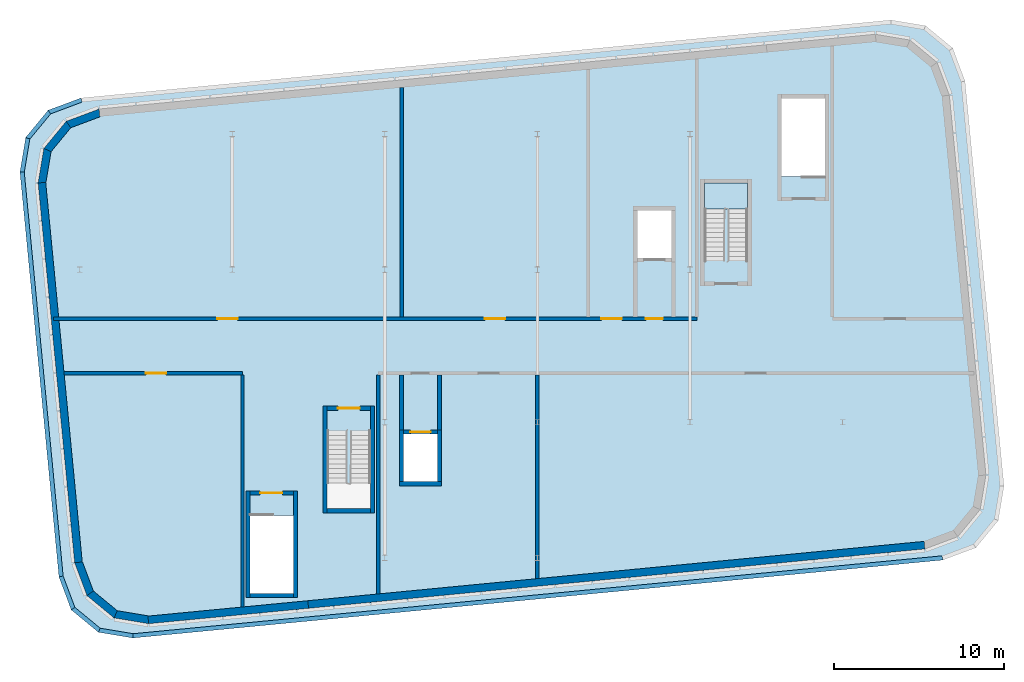
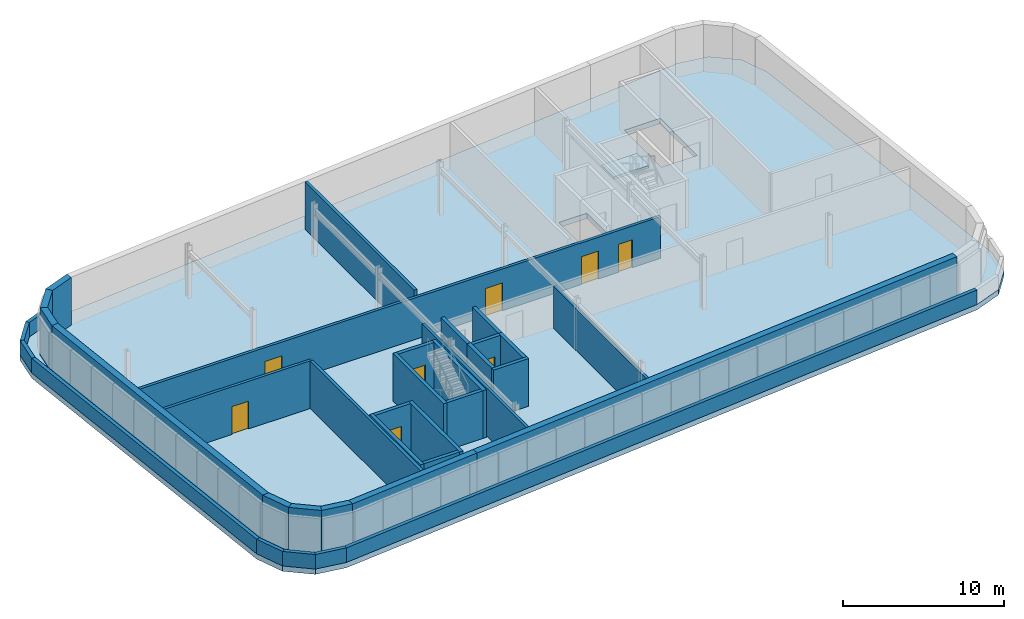
# One storey, part 3 of 6: 37 walls, 8 doors, 2 slabs, 8 openings, 1 element without a shape of its own.
"""IFC4 building model written with IfcOpenShell, lengths in metres."""

from ifc_helpers import new_model, si_unit, direction, frame, frame_2d, origin, place, context, subcontext, project, spatial, polyline, rectangle, outline, extrude, material, layer, layer_set, type_object, element, fill, aggregate, save


model = new_model("IFC4")

# Units and contexts
model_context = context("Model", 3, precision=1e-05, world=origin(), true_north=direction((0.0, 1.0)))
body_context = subcontext(model_context, "Body", "Model", "MODEL_VIEW")
ifc_project = project(units=[si_unit("LENGTHUNIT", "METRE"), si_unit("AREAUNIT", "SQUARE_METRE"), si_unit("VOLUMEUNIT", "CUBIC_METRE"), si_unit("PLANEANGLEUNIT", "RADIAN"), si_unit("MASSUNIT", "GRAM", prefix="KILO")], contexts=[model_context])

# Site, building, storey
site_placement = place(None, origin())
site = spatial("IfcSite", under=ifc_project, at=site_placement, CompositionType="ELEMENT")
building_placement = place(site_placement, origin())
building = spatial("IfcBuilding", under=site, at=building_placement, Name="Kajstack Hotel Tower", CompositionType="ELEMENT")
storey_placement = place(building_placement, frame((0.0, 0.0, 321.800048828125)))
storey = spatial("IfcBuildingStorey", under=building, at=storey_placement, Name="L81", CompositionType="ELEMENT", Elevation=321.800048828125)

# Slab
ifc_material_1 = material(Name="Concrete C40/50", Category="concrete")
ifc_layer_1 = layer(ifc_material_1, 0.39990234375)
ifc_layer_set_1 = layer_set([ifc_layer_1], Name="RC slab 400 C40/50 crown")
slab_type_1 = type_object("IfcSlabType", Name="RC slab 400 C40/50 crown", PredefinedType="FLOOR", material=ifc_layer_set_1)
slab_1_placement = place(storey_placement, frame((0.0, 0.0, -0.400146484375)))
element("IfcSlab", 1, at=slab_1_placement, inside=storey, type_object=slab_type_1, Name="S-slab-L81", PredefinedType="FLOOR", context=body_context, shape_type="SweptSolid", body=[
    extrude(outline(polyline([(-30.179443359375, 12.30322265625), (-28.862548828125, 13.90087890625), (-26.923095703125, 14.6259765625), (20.85595703125, 19.2265625), (22.898193359375, 18.885009765625), (24.495849609375, 17.56787109375), (25.220947265625, 15.62841796875), (27.521240234375, -8.260986328125), (27.179443359375, -10.30322265625), (25.862548828125, -11.90087890625), (23.923095703125, -12.6259765625), (-23.85595703125, -17.2265625), (-25.898193359375, -16.885009765625), (-27.495849609375, -15.56787109375), (-28.220947265625, -13.62841796875), (-30.521240234375, 10.260986328125), (-30.179443359375, 12.30322265625)]), holes=[polyline([(-7.89990234375, -8.0), (-5.89990234375, -8.0), (-5.89990234375, -5.199951171875), (-7.89990234375, -5.199951171875), (-7.89990234375, -8.0)]), polyline([(7.89990234375, 8.0), (5.89990234375, 8.0), (5.89990234375, 5.199951171875), (7.89990234375, 5.199951171875), (7.89990234375, 8.0)]), polyline([(-16.949951171875, -14.60009765625), (-14.39990234375, -14.60009765625), (-14.39990234375, -10.0), (-16.949951171875, -10.0), (-16.949951171875, -14.60009765625)]), polyline([(16.949951171875, 14.60009765625), (14.39990234375, 14.60009765625), (14.39990234375, 10.0), (16.949951171875, 10.0), (16.949951171875, 14.60009765625)])]), origin(), (0.0, 0.0, 1.0), 0.400146484375),
])

# Stair, slab
stair_type = type_object("IfcStairType", Name="Exit stair 1200", PredefinedType="HALF_TURN_STAIR", material=ifc_material_1)
stair_placement = place(storey_placement, origin())
stair = element("IfcStair", 2, at=stair_placement, inside=storey, type_object=stair_type, Name="L81 stair R2", PredefinedType="HALF_TURN_STAIR")
ifc_layer_2 = layer(ifc_material_1, 0.199951171875)
ifc_layer_set_2 = layer_set([ifc_layer_2], Name="Stair landing 200")
slab_type_2 = type_object("IfcSlabType", Name="Stair landing 200", PredefinedType="LANDING", material=ifc_layer_set_2)
slab_2_placement = place(storey_placement, frame((0.0, 0.0, 1.800048828125)))
slab_2 = element("IfcSlab", 3, at=slab_2_placement, type_object=slab_type_2, Name="R2 landing 1", PredefinedType="LANDING", context=body_context, shape_type="SweptSolid", body=[
    extrude(outline(polyline([(12.39990234375, 8.080078125), (12.39990234375, 9.60009765625), (9.85009765625, 9.60009765625), (9.85009765625, 8.080078125), (12.39990234375, 8.080078125)])), origin(), (0.0, 0.0, 1.0), 0.199951171875),
])
aggregate(stair, [slab_2])

# Walls
ifc_layer_3 = layer(ifc_material_1, 0.449951171875)
ifc_layer_set_3 = layer_set([ifc_layer_3], Name="EW-CORE")
wall_type_1 = type_object("IfcWallType", Name="EW-CORE", PredefinedType="SOLIDWALL", material=ifc_layer_set_3)
wall_1_placement = place(storey_placement, frame((-22.9541015625, -16.16015625, 0.0), z_axis=(0.0, 0.0, 1.0), x_axis=(0.995396748111, 0.095840043042, 0.0)))
element("IfcWall", 4, at=wall_1_placement, inside=storey, type_object=wall_type_1, Name="E-wall-L81-04-00", PredefinedType="SOLIDWALL", context=body_context, shape_type="SweptSolid", body=[
    extrude(rectangle(XDim=9.476318359375, YDim=0.449951171875, at=frame_2d((4.73828125, 0.0))), origin(), (0.0, 0.0, 1.0), 3.599853515625),
])
ifc_material_2 = material(Name="Zinc-clad block masonry", Category="masonry")
ifc_layer_4 = layer(ifc_material_2, 0.449951171875)
ifc_layer_set_4 = layer_set([ifc_layer_4], Name="EW-ZINC")
wall_type_2 = type_object("IfcWallType", Name="EW-ZINC", PredefinedType="SOLIDWALL", material=ifc_layer_set_4)
wall_2_placement = place(storey_placement, frame((-29.22998046875, 9.632080078125, 0.0), z_axis=(0.0, 0.0, 1.0), x_axis=(0.095843902002, -0.99539637655, 0.0)))
element("IfcWall", 5, at=wall_2_placement, inside=storey, type_object=wall_type_2, Name="E-wall-L81-00-00", PredefinedType="SOLIDWALL", context=body_context, shape_type="SweptSolid", body=[
    extrude(rectangle(XDim=22.5, YDim=0.449951171875, at=frame_2d((11.25, 0.0))), origin(), (0.0, 0.0, 1.0), 3.599853515625),
])
for number, where, z_axis, x_axis, name in (
    (6, (-27.086669921875, -12.707275390625, 0.0), (0.0, 0.0, 1.0), (0.350192909346, -0.936677599948, 0.0), "E-wall-L81-01-00"),
    (7, (-26.42919921875, -14.552001953125, 0.0), (0.0, 0.0, 1.0), (0.771651049663, -0.636046112757, 0.0), "E-wall-L81-02-00"),
):
    element("IfcWall", number, at=place(storey_placement, frame(where, z_axis=z_axis, x_axis=x_axis)), inside=storey, type_object=wall_type_2, Name=name, PredefinedType="SOLIDWALL", context=body_context, shape_type="SweptSolid", body=[
        extrude(outline(polyline([(0.0, -0.224853515625), (2.070556640625, -0.224853515625), (1.949951171875, 0.22509765625), (0.12060546875, 0.22509765625), (0.0, -0.224853515625)])), origin(), (0.0, 0.0, 1.0), 3.599853515625),
    ])
wall_3_placement = place(storey_placement, frame((-24.9375, -15.820556640625, 0.0), z_axis=(0.0, 0.0, 1.0), x_axis=(0.986282164302, -0.165068144653, 0.0)))
element("IfcWall", 8, at=wall_3_placement, inside=storey, type_object=wall_type_2, Name="E-wall-L81-03-00", PredefinedType="SOLIDWALL", context=body_context, shape_type="SweptSolid", body=[
    extrude(outline(polyline([(0.0, -0.22509765625), (2.070556640625, -0.224853515625), (1.949951171875, 0.22509765625), (0.12060546875, 0.22509765625), (0.0, -0.22509765625)])), origin(), (0.0, 0.0, 1.0), 3.599853515625),
])
wall_4_placement = place(storey_placement, frame((-13.521484375, -15.251953125, 0.0), z_axis=(0.0, 0.0, 1.0), x_axis=(0.99539600133, 0.095847798803, 0.0)))
element("IfcWall", 9, at=wall_4_placement, inside=storey, type_object=wall_type_2, Name="E-wall-L81-04-01", PredefinedType="SOLIDWALL", context=body_context, shape_type="SweptSolid", body=[
    extrude(rectangle(XDim=36.52392578125, YDim=0.449951171875, at=frame_2d((18.261962890625, 0.0))), origin(), (0.0, 0.0, 1.0), 3.599853515625),
])
wall_5_placement = place(storey_placement, frame((-25.777099609375, 13.7646484375, 0.0), z_axis=(0.0, 0.0, 1.0), x_axis=(-0.936663137642, -0.350231589928, 0.0)))
element("IfcWall", 10, at=wall_5_placement, inside=storey, type_object=wall_type_2, Name="E-wall-L81-13-00", PredefinedType="SOLIDWALL", context=body_context, shape_type="SweptSolid", body=[
    extrude(outline(polyline([(0.0, -0.224853515625), (2.070556640625, -0.224853515625), (1.949951171875, 0.22509765625), (0.12060546875, 0.22509765625), (0.0, -0.224853515625)])), origin(), (0.0, 0.0, 1.0), 3.599853515625),
])
wall_6_placement = place(storey_placement, frame((-27.62158203125, 13.107177734375, 0.0), z_axis=(0.0, 0.0, 1.0), x_axis=(-0.635988241739, -0.771698747161, 0.0)))
element("IfcWall", 11, at=wall_6_placement, inside=storey, type_object=wall_type_2, Name="E-wall-L81-14-00", PredefinedType="SOLIDWALL", context=body_context, shape_type="SweptSolid", body=[
    extrude(outline(polyline([(0.0, -0.224853515625), (2.070556640625, -0.22509765625), (1.949951171875, 0.224853515625), (0.12060546875, 0.22509765625), (0.0, -0.224853515625)])), origin(), (0.0, 0.0, 1.0), 3.599853515625),
])
wall_7_placement = place(storey_placement, frame((-28.890380859375, 11.615478515625, 0.0), z_axis=(0.0, 0.0, 1.0), x_axis=(-0.165068144653, -0.986282164302, 0.0)))
element("IfcWall", 12, at=wall_7_placement, inside=storey, type_object=wall_type_2, Name="E-wall-L81-15-00", PredefinedType="SOLIDWALL", context=body_context, shape_type="SweptSolid", body=[
    extrude(outline(polyline([(0.0, -0.224853515625), (2.070556640625, -0.224853515625), (1.949951171875, 0.22509765625), (0.12060546875, 0.22509765625), (0.0, -0.224853515625)])), origin(), (0.0, 0.0, 1.0), 3.599853515625),
])
ifc_layer_5 = layer(ifc_material_2, 0.25)
ifc_layer_set_5 = layer_set([ifc_layer_5], Name="PARAPET-ZINC")
wall_type_3 = type_object("IfcWallType", Name="PARAPET-ZINC", PredefinedType="PARAPET", material=ifc_layer_set_5)
wall_8_placement = place(storey_placement, origin())
element("IfcWall", 13, at=wall_8_placement, inside=storey, type_object=wall_type_3, Name="Parapet L81-01-01-01", PredefinedType="PARAPET", context=body_context, shape_type="SweptSolid", body=[
    extrude(outline(polyline([(-30.158203125, 12.3291015625), (-29.96533203125, 12.169921875), (-28.712158203125, 13.690185546875), (-28.862548828125, 13.90087890625), (-30.158203125, 12.3291015625)])), origin(), (0.0, 0.0, 1.0), 1.099853515625),
])
wall_9_placement = place(storey_placement, origin())
element("IfcWall", 14, at=wall_9_placement, inside=storey, type_object=wall_type_3, Name="Parapet L81-01-01-02", PredefinedType="PARAPET", context=body_context, shape_type="SweptSolid", body=[
    extrude(outline(polyline([(-28.862548828125, 13.90087890625), (-28.712158203125, 13.690185546875), (-26.8662109375, 14.38037109375), (-26.9228515625, 14.6259765625), (-28.862548828125, 13.90087890625)])), origin(), (0.0, 0.0, 1.0), 1.099853515625),
])
wall_10_placement = place(storey_placement, origin())
element("IfcWall", 15, at=wall_10_placement, inside=storey, type_object=wall_type_3, Name="Parapet L81-01-01-11", PredefinedType="PARAPET", context=body_context, shape_type="SweptSolid", body=[
    extrude(outline(polyline([(23.9228515625, -12.6259765625), (23.8662109375, -12.38037109375), (-23.84716796875, -16.974609375), (-23.85595703125, -17.2265625), (23.9228515625, -12.6259765625)])), origin(), (0.0, 0.0, 1.0), 1.099853515625),
])
wall_11_placement = place(storey_placement, origin())
element("IfcWall", 16, at=wall_11_placement, inside=storey, type_object=wall_type_3, Name="Parapet L81-01-01-12", PredefinedType="PARAPET", context=body_context, shape_type="SweptSolid", body=[
    extrude(outline(polyline([(-23.85595703125, -17.2265625), (-23.84716796875, -16.974609375), (-25.790771484375, -16.6494140625), (-25.89794921875, -16.884765625), (-23.85595703125, -17.2265625)])), origin(), (0.0, 0.0, 1.0), 1.099853515625),
])
wall_12_placement = place(storey_placement, origin())
element("IfcWall", 17, at=wall_12_placement, inside=storey, type_object=wall_type_3, Name="Parapet L81-01-01-13", PredefinedType="PARAPET", context=body_context, shape_type="SweptSolid", body=[
    extrude(outline(polyline([(-25.89794921875, -16.884765625), (-25.790771484375, -16.6494140625), (-27.28515625, -15.417724609375), (-27.495849609375, -15.56787109375), (-25.89794921875, -16.884765625)])), origin(), (0.0, 0.0, 1.0), 1.099853515625),
])
wall_13_placement = place(storey_placement, origin())
element("IfcWall", 18, at=wall_13_placement, inside=storey, type_object=wall_type_3, Name="Parapet L81-01-01-14", PredefinedType="PARAPET", context=body_context, shape_type="SweptSolid", body=[
    extrude(outline(polyline([(-27.495849609375, -15.56787109375), (-27.28515625, -15.417724609375), (-27.975341796875, -13.571533203125), (-28.220947265625, -13.62841796875), (-27.495849609375, -15.56787109375)])), origin(), (0.0, 0.0, 1.0), 1.099853515625),
])
wall_14_placement = place(storey_placement, origin())
element("IfcWall", 19, at=wall_14_placement, inside=storey, type_object=wall_type_3, Name="Parapet L81-01-01-15", PredefinedType="PARAPET", context=body_context, shape_type="SweptSolid", body=[
    extrude(outline(polyline([(-28.220947265625, -13.62841796875), (-27.975341796875, -13.571533203125), (-30.269287109375, 10.252197265625), (-30.521240234375, 10.260986328125), (-28.220947265625, -13.62841796875)])), origin(), (0.0, 0.0, 1.0), 1.099853515625),
])
wall_15_placement = place(storey_placement, origin())
element("IfcWall", 20, at=wall_15_placement, inside=storey, type_object=wall_type_3, Name="Parapet L81-01-01-16", PredefinedType="PARAPET", context=body_context, shape_type="SweptSolid", body=[
    extrude(outline(polyline([(-30.521240234375, 10.260986328125), (-30.269287109375, 10.252197265625), (-29.9384765625, 12.228759765625), (-30.18505859375, 12.27001953125), (-30.521240234375, 10.260986328125)])), origin(), (0.0, 0.0, 1.0), 1.099853515625),
])
ifc_material_3 = material(Name="Gypsum board on steel studs, mineral wool", Category="steel")
ifc_layer_6 = layer(ifc_material_3, 0.199951171875)
ifc_layer_set_6 = layer_set([ifc_layer_6], Name="Public partition 200")
wall_type_4 = type_object("IfcWallType", Name="Public partition 200", PredefinedType="PARTITIONING", material=ifc_layer_set_6)
wall_16_placement = place(storey_placement, frame((-17.39990234375, -15.3994140625, 0.0), z_axis=(0.0, 0.0, 1.0), x_axis=(0.0, 1.0, 0.0)))
element("IfcWall", 21, at=wall_16_placement, inside=storey, type_object=wall_type_4, Name="Partition X0", PredefinedType="PARTITIONING", context=body_context, shape_type="SweptSolid", body=[
    extrude(rectangle(XDim=13.699462890625, YDim=0.199951171875, at=frame_2d((6.849609375, 0.0))), origin(), (0.0, 0.0, 1.0), 3.599853515625),
])
wall_17_placement = place(storey_placement, frame((-9.39990234375, -14.629150390625, 0.0), z_axis=(0.0, 0.0, 1.0), x_axis=(0.0, 1.0, 0.0)))
element("IfcWall", 22, at=wall_17_placement, inside=storey, type_object=wall_type_4, Name="Partition X1", PredefinedType="PARTITIONING", context=body_context, shape_type="SweptSolid", body=[
    extrude(rectangle(XDim=12.92919921875, YDim=0.199951171875, at=frame_2d((6.464599609375, 0.0))), origin(), (0.0, 0.0, 1.0), 3.599853515625),
])
wall_18_placement = place(storey_placement, frame((0.0, -13.723876953125, 0.0), z_axis=(0.0, 0.0, 1.0), x_axis=(0.0, 1.0, 0.0)))
element("IfcWall", 23, at=wall_18_placement, inside=storey, type_object=wall_type_4, Name="Partition X2", PredefinedType="PARTITIONING", context=body_context, shape_type="SweptSolid", body=[
    extrude(rectangle(XDim=12.02392578125, YDim=0.199951171875, at=frame_2d((6.011962890625, 0.0))), origin(), (0.0, 0.0, 1.0), 3.14990234375),
])

# Wall, opening, door
wall_19_placement = place(storey_placement, frame((-27.92236328125, -1.60009765625, 0.0), z_axis=(0.0, 0.0, 1.0), x_axis=(1.0, 0.0, 0.0)))
wall_19 = element("IfcWall", 24, at=wall_19_placement, inside=storey, type_object=wall_type_4, Name="Partition FW0", PredefinedType="PARTITIONING", context=body_context, shape_type="SweptSolid", body=[
    extrude(rectangle(XDim=10.5224609375, YDim=0.199951171875, at=frame_2d((5.26123046875, 0.0))), origin(), (0.0, 0.0, 1.0), 3.599853515625),
])
opening_1_placement = place(wall_19_placement, frame((4.824462890625, 0.0, 0.0)))
opening_1 = element("IfcOpeningElement", 25, at=opening_1_placement, cuts=wall_19, Name="Opening 81P01", PredefinedType="OPENING", context=body_context, shape_type="SweptSolid", body=[
    extrude(rectangle(XDim=1.199951171875, YDim=2.10009765625, at=frame_2d((0.60009765625, 1.050048828125))), frame((0.0, 0.10986328125, 0.0), z_axis=(0.0, -1.0, 0.0), x_axis=(1.0, 0.0, 0.0)), (0.0, 0.0, 1.0), 0.219970703125),
])
ifc_material_4 = material(Name="Timber leaf, fire-rated", Category="wood")
door_type_1 = type_object("IfcDoorType", Name="Public corridor door 1200", OperationType="SINGLE_SWING_LEFT", PredefinedType="DOOR", material=ifc_material_4)
door_1_placement = place(opening_1_placement, origin())
door_1 = element("IfcDoor", 26, at=door_1_placement, inside=storey, type_object=door_type_1, Name="Door 81P01", OperationType="SINGLE_SWING_RIGHT", OverallHeight=2.10009765625, OverallWidth=1.199951171875, PredefinedType="DOOR", context=body_context, shape_type="SweptSolid", body=[
    extrude(rectangle(XDim=1.199951171875, YDim=2.10009765625, at=frame_2d((0.60009765625, 1.050048828125))), frame((0.0, 0.02490234375, 0.0), z_axis=(0.0, -1.0, 0.0), x_axis=(1.0, 0.0, 0.0)), (0.0, 0.0, 1.0), 0.050048828125),
])
fill(opening_1, door_1)

# Wall
wall_20_placement = place(storey_placement, frame((-8.0, 1.699951171875, 0.0), z_axis=(0.0, 0.0, 1.0), x_axis=(0.0, 1.0, 0.0)))
element("IfcWall", 27, at=wall_20_placement, inside=storey, type_object=wall_type_4, Name="Partition SX3", PredefinedType="PARTITIONING", context=body_context, shape_type="SweptSolid", body=[
    extrude(rectangle(XDim=13.54248046875, YDim=0.199951171875, at=frame_2d((6.771240234375, 0.0))), origin(), (0.0, 0.0, 1.0), 3.599853515625),
])

# Wall, openings, doors
wall_21_placement = place(storey_placement, frame((-28.557861328125, 1.60009765625, 0.0), z_axis=(0.0, 0.0, 1.0), x_axis=(1.0, 0.0, 0.0)))
wall_21 = element("IfcWall", 28, at=wall_21_placement, inside=storey, type_object=wall_type_4, Name="Partition SFW1", PredefinedType="PARTITIONING", context=body_context, shape_type="SweptSolid", body=[
    extrude(rectangle(XDim=37.957763671875, YDim=0.199951171875, at=frame_2d((18.97900390625, 0.0))), origin(), (0.0, 0.0, 1.0), 3.14990234375),
])
opening_2_placement = place(wall_21_placement, frame((32.3330078125, 0.0, 0.0)))
opening_2 = element("IfcOpeningElement", 29, at=opening_2_placement, cuts=wall_21, Name="Opening 81P05", PredefinedType="OPENING", context=body_context, shape_type="SweptSolid", body=[
    extrude(rectangle(XDim=1.199951171875, YDim=2.10009765625, at=frame_2d((0.60009765625, 1.050048828125))), frame((0.0, 0.10986328125, 0.0), z_axis=(0.0, -1.0, 0.0), x_axis=(1.0, 0.0, 0.0)), (0.0, 0.0, 1.0), 0.219970703125),
])
opening_3_placement = place(wall_21_placement, frame((25.4580078125, 0.0, 0.0)))
opening_3 = element("IfcOpeningElement", 30, at=opening_3_placement, cuts=wall_21, Name="Opening 81P06", PredefinedType="OPENING", context=body_context, shape_type="SweptSolid", body=[
    extrude(rectangle(XDim=1.199951171875, YDim=2.10009765625, at=frame_2d((0.60009765625, 1.050048828125))), frame((0.0, 0.10986328125, 0.0), z_axis=(0.0, -1.0, 0.0), x_axis=(1.0, 0.0, 0.0)), (0.0, 0.0, 1.0), 0.219970703125),
])
opening_4_placement = place(wall_21_placement, frame((9.678955078125, 0.0, 0.0)))
opening_4 = element("IfcOpeningElement", 31, at=opening_4_placement, cuts=wall_21, Name="Opening 81P07", PredefinedType="OPENING", context=body_context, shape_type="SweptSolid", body=[
    extrude(rectangle(XDim=1.199951171875, YDim=2.10009765625, at=frame_2d((0.60009765625, 1.050048828125))), frame((0.0, 0.10986328125, 0.0), z_axis=(0.0, -1.0, 0.0), x_axis=(1.0, 0.0, 0.0)), (0.0, 0.0, 1.0), 0.219970703125),
])
opening_5_placement = place(wall_21_placement, frame((34.9580078125, 0.0, 0.0)))
opening_5 = element("IfcOpeningElement", 32, at=opening_5_placement, cuts=wall_21, Name="Opening 81P09", PredefinedType="OPENING", context=body_context, shape_type="SweptSolid", body=[
    extrude(rectangle(XDim=1.0, YDim=2.10009765625, at=frame_2d((0.5, 1.050048828125))), frame((0.0, 0.10986328125, 0.0), z_axis=(0.0, -1.0, 0.0), x_axis=(1.0, 0.0, 0.0)), (0.0, 0.0, 1.0), 0.219970703125),
])
door_2_placement = place(opening_2_placement, origin())
door_2 = element("IfcDoor", 33, at=door_2_placement, inside=storey, type_object=door_type_1, Name="Door 81P05", OperationType="SINGLE_SWING_LEFT", OverallHeight=2.10009765625, OverallWidth=1.199951171875, PredefinedType="DOOR", context=body_context, shape_type="SweptSolid", body=[
    extrude(rectangle(XDim=1.199951171875, YDim=2.10009765625, at=frame_2d((0.60009765625, 1.050048828125))), frame((0.0, 0.02490234375, 0.0), z_axis=(0.0, -1.0, 0.0), x_axis=(1.0, 0.0, 0.0)), (0.0, 0.0, 1.0), 0.050048828125),
])
fill(opening_2, door_2)
door_3_placement = place(opening_3_placement, origin())
door_3 = element("IfcDoor", 34, at=door_3_placement, inside=storey, type_object=door_type_1, Name="Door 81P06", OperationType="SINGLE_SWING_LEFT", OverallHeight=2.10009765625, OverallWidth=1.199951171875, PredefinedType="DOOR", context=body_context, shape_type="SweptSolid", body=[
    extrude(rectangle(XDim=1.199951171875, YDim=2.10009765625, at=frame_2d((0.60009765625, 1.050048828125))), frame((0.0, 0.02490234375, 0.0), z_axis=(0.0, -1.0, 0.0), x_axis=(1.0, 0.0, 0.0)), (0.0, 0.0, 1.0), 0.050048828125),
])
fill(opening_3, door_3)
door_4_placement = place(opening_4_placement, origin())
door_4 = element("IfcDoor", 35, at=door_4_placement, inside=storey, type_object=door_type_1, Name="Door 81P07", OperationType="SINGLE_SWING_LEFT", OverallHeight=2.10009765625, OverallWidth=1.199951171875, PredefinedType="DOOR", context=body_context, shape_type="SweptSolid", body=[
    extrude(rectangle(XDim=1.199951171875, YDim=2.10009765625, at=frame_2d((0.60009765625, 1.050048828125))), frame((0.0, 0.02490234375, 0.0), z_axis=(0.0, -1.0, 0.0), x_axis=(1.0, 0.0, 0.0)), (0.0, 0.0, 1.0), 0.050048828125),
])
fill(opening_4, door_4)
ifc_material_5 = material(Name="Timber leaf", Category="wood")
door_type_2 = type_object("IfcDoorType", Name="Public room door 1000", OperationType="SINGLE_SWING_LEFT", PredefinedType="DOOR", material=ifc_material_5)
door_5_placement = place(opening_5_placement, origin())
door_5 = element("IfcDoor", 36, at=door_5_placement, inside=storey, type_object=door_type_2, Name="Door 81P09", OperationType="SINGLE_SWING_LEFT", OverallHeight=2.10009765625, OverallWidth=1.0, PredefinedType="DOOR", context=body_context, shape_type="SweptSolid", body=[
    extrude(rectangle(XDim=1.0, YDim=2.10009765625, at=frame_2d((0.5, 1.050048828125))), frame((0.0, 0.02490234375, 0.0), z_axis=(0.0, -1.0, 0.0), x_axis=(1.0, 0.0, 0.0)), (0.0, 0.0, 1.0), 0.050048828125),
])
fill(opening_5, door_5)

# Walls
ifc_layer_7 = layer(ifc_material_3, 0.199951171875)
ifc_layer_set_7 = layer_set([ifc_layer_7], Name="Service partition 200")
wall_type_5 = type_object("IfcWallType", Name="Service partition 200", PredefinedType="PARTITIONING", material=ifc_layer_set_7)
for number, where, z_axis, x_axis, name in (
    (37, (-8.02490234375, -4.949951171875, 0.0), (0.0, 0.0, 1.0), (0.0, 1.0, 0.0), "Partition W CLLW"),
    (38, (-5.77490234375, -4.949951171875, 0.0), (0.0, 0.0, 1.0), (0.0, 1.0, 0.0), "Partition W CLLE"),
):
    element("IfcWall", number, at=place(storey_placement, frame(where, z_axis=z_axis, x_axis=x_axis)), inside=storey, type_object=wall_type_5, Name=name, PredefinedType="PARTITIONING", context=body_context, shape_type="SweptSolid", body=[
        extrude(rectangle(XDim=3.25, YDim=0.25, at=frame_2d((1.625, 0.0))), origin(), (0.0, 0.0, 1.0), 3.599853515625),
    ])
ifc_material_6 = material(Name="Concrete C50/60", Category="concrete")
ifc_layer_8 = layer(ifc_material_6, 0.25)
ifc_layer_set_8 = layer_set([ifc_layer_8], Name="Shaft wall 250")
wall_type_6 = type_object("IfcWallType", Name="Shaft wall 250", PredefinedType="SHEAR", material=ifc_layer_set_8)
wall_22_placement = place(storey_placement, frame((-8.14990234375, -8.125, 0.0), z_axis=(0.0, 0.0, 1.0), x_axis=(1.0, 0.0, 0.0)))
element("IfcWall", 39, at=wall_22_placement, inside=storey, type_object=wall_type_6, Name="Core wall W CLS", PredefinedType="SHEAR", context=body_context, shape_type="SweptSolid", body=[
    extrude(rectangle(XDim=2.5, YDim=0.25, at=frame_2d((1.25, 0.0))), origin(), (0.0, 0.0, 1.0), 3.599853515625),
])
for number, where, z_axis, x_axis, name in (
    (40, (-8.02490234375, -8.0, 0.0), (0.0, 0.0, 1.0), (0.0, 1.0, 0.0), "Core wall W CLW"),
    (41, (-5.77490234375, -8.0, 0.0), (0.0, 0.0, 1.0), (0.0, 1.0, 0.0), "Core wall W CLE"),
):
    element("IfcWall", number, at=place(storey_placement, frame(where, z_axis=z_axis, x_axis=x_axis)), inside=storey, type_object=wall_type_6, Name=name, PredefinedType="SHEAR", context=body_context, shape_type="SweptSolid", body=[
        extrude(rectangle(XDim=3.050048828125, YDim=0.25, at=frame_2d((1.52490234375, 0.0))), origin(), (0.0, 0.0, 1.0), 3.599853515625),
    ])

# Wall, opening, door
wall_23_placement = place(storey_placement, frame((-7.89990234375, -5.074951171875, 0.0), z_axis=(0.0, 0.0, 1.0), x_axis=(1.0, 0.0, 0.0)))
wall_23 = element("IfcWall", 42, at=wall_23_placement, inside=storey, type_object=wall_type_6, Name="Core wall W CLN", PredefinedType="SHEAR", context=body_context, shape_type="SweptSolid", body=[
    extrude(rectangle(XDim=2.0, YDim=0.25, at=frame_2d((1.0, 0.0))), origin(), (0.0, 0.0, 1.0), 3.599853515625),
])
opening_6_placement = place(wall_23_placement, frame((0.39990234375, 0.0, 0.0)))
opening_6 = element("IfcOpeningElement", 43, at=opening_6_placement, cuts=wall_23, Name="Opening LD-CL1", PredefinedType="OPENING", context=body_context, shape_type="SweptSolid", body=[
    extrude(rectangle(XDim=1.199951171875, YDim=2.10009765625, at=frame_2d((0.60009765625, 1.050048828125))), frame((0.0, 0.135009765625, 0.0), z_axis=(0.0, -1.0, 0.0), x_axis=(1.0, 0.0, 0.0)), (0.0, 0.0, 1.0), 0.27001953125),
])
ifc_material_7 = material(Name="Stainless steel", Category="steel")
door_type_3 = type_object("IfcDoorType", Name="Lift landing door 1200", OperationType="SLIDING_TO_LEFT", PredefinedType="DOOR", material=ifc_material_7)
door_6_placement = place(opening_6_placement, origin())
door_6 = element("IfcDoor", 44, at=door_6_placement, inside=storey, type_object=door_type_3, Name="Landing door CL1", OperationType="SLIDING_TO_LEFT", OverallHeight=2.10009765625, OverallWidth=1.199951171875, PredefinedType="DOOR", context=body_context, shape_type="SweptSolid", body=[
    extrude(rectangle(XDim=1.199951171875, YDim=2.10009765625, at=frame_2d((0.60009765625, 1.050048828125))), frame((0.0, 0.02490234375, 0.0), z_axis=(0.0, -1.0, 0.0), x_axis=(1.0, 0.0, 0.0)), (0.0, 0.0, 1.0), 0.050048828125),
])
fill(opening_6, door_6)

# Walls
ifc_layer_9 = layer(ifc_material_1, 0.25)
ifc_layer_set_9 = layer_set([ifc_layer_9], Name="Stair enclosure wall 250")
wall_type_7 = type_object("IfcWallType", Name="Stair enclosure wall 250", PredefinedType="SHEAR", material=ifc_layer_set_9)
for number, where, z_axis, x_axis, name in (
    (45, (-17.074951171875, -14.85009765625, 0.0), (0.0, 0.0, 1.0), (0.0, 1.0, 0.0), "Core wall W W2W"),
    (46, (-14.27490234375, -14.85009765625, 0.0), (0.0, 0.0, 1.0), (0.0, 1.0, 0.0), "Core wall W W2E"),
):
    element("IfcWall", number, at=place(storey_placement, frame(where, z_axis=z_axis, x_axis=x_axis)), inside=storey, type_object=wall_type_7, Name=name, PredefinedType="SHEAR", context=body_context, shape_type="SweptSolid", body=[
        extrude(rectangle(XDim=6.300048828125, YDim=0.25, at=frame_2d((3.14990234375, 0.0))), origin(), (0.0, 0.0, 1.0), 3.599853515625),
    ])
wall_24_placement = place(storey_placement, frame((-16.949951171875, -14.72509765625, 0.0), z_axis=(0.0, 0.0, 1.0), x_axis=(1.0, 0.0, 0.0)))
element("IfcWall", 47, at=wall_24_placement, inside=storey, type_object=wall_type_7, Name="Core wall W W2S", PredefinedType="SHEAR", context=body_context, shape_type="SweptSolid", body=[
    extrude(rectangle(XDim=2.550048828125, YDim=0.25, at=frame_2d((1.27490234375, 0.0))), origin(), (0.0, 0.0, 1.0), 3.599853515625),
])

# Wall, opening, door
wall_25_placement = place(storey_placement, frame((-16.949951171875, -8.675048828125, 0.0), z_axis=(0.0, 0.0, 1.0), x_axis=(1.0, 0.0, 0.0)))
wall_25 = element("IfcWall", 48, at=wall_25_placement, inside=storey, type_object=wall_type_7, Name="Core wall W W2N", PredefinedType="SHEAR", context=body_context, shape_type="SweptSolid", body=[
    extrude(rectangle(XDim=2.550048828125, YDim=0.25, at=frame_2d((1.27490234375, 0.0))), origin(), (0.0, 0.0, 1.0), 3.599853515625),
])
opening_7_placement = place(wall_25_placement, frame((0.60009765625, 0.0, 0.0)))
opening_7 = element("IfcOpeningElement", 49, at=opening_7_placement, cuts=wall_25, Name="Opening 81W02", PredefinedType="OPENING", context=body_context, shape_type="SweptSolid", body=[
    extrude(rectangle(XDim=1.300048828125, YDim=2.10009765625, at=frame_2d((0.64990234375, 1.050048828125))), frame((0.0, 0.135009765625, 0.0), z_axis=(0.0, -1.0, 0.0), x_axis=(1.0, 0.0, 0.0)), (0.0, 0.0, 1.0), 0.27001953125),
])
ifc_material_8 = material(Name="Steel leaf, fire-rated", Category="steel")
door_type_4 = type_object("IfcDoorType", Name="Stair door 1300", OperationType="SINGLE_SWING_LEFT", PredefinedType="DOOR", material=ifc_material_8)
door_7_placement = place(opening_7_placement, origin())
door_7 = element("IfcDoor", 50, at=door_7_placement, inside=storey, type_object=door_type_4, Name="Door 81W02", OperationType="SINGLE_SWING_RIGHT", OverallHeight=2.10009765625, OverallWidth=1.300048828125, PredefinedType="DOOR", context=body_context, shape_type="SweptSolid", body=[
    extrude(rectangle(XDim=1.300048828125, YDim=2.10009765625, at=frame_2d((0.64990234375, 1.050048828125))), frame((0.0, 0.02490234375, 0.0), z_axis=(0.0, -1.0, 0.0), x_axis=(1.0, 0.0, 0.0)), (0.0, 0.0, 1.0), 0.050048828125),
])
fill(opening_7, door_7)

# Walls
for number, where, z_axis, x_axis, name in (
    (51, (-12.52490234375, -9.85009765625, 0.0), (0.0, 0.0, 1.0), (0.0, 1.0, 0.0), "Stair wall R1 W"),
    (52, (-9.72509765625, -9.85009765625, 0.0), (0.0, 0.0, 1.0), (0.0, 1.0, 0.0), "Stair wall R1 E"),
):
    element("IfcWall", number, at=place(storey_placement, frame(where, z_axis=z_axis, x_axis=x_axis)), inside=storey, type_object=wall_type_7, Name=name, PredefinedType="SHEAR", context=body_context, shape_type="SweptSolid", body=[
        extrude(rectangle(XDim=6.300048828125, YDim=0.25, at=frame_2d((3.14990234375, 0.0))), origin(), (0.0, 0.0, 1.0), 3.599853515625),
    ])
wall_26_placement = place(storey_placement, frame((-12.39990234375, -9.72509765625, 0.0), z_axis=(0.0, 0.0, 1.0), x_axis=(1.0, 0.0, 0.0)))
element("IfcWall", 53, at=wall_26_placement, inside=storey, type_object=wall_type_7, Name="Stair wall R1 F", PredefinedType="SHEAR", context=body_context, shape_type="SweptSolid", body=[
    extrude(rectangle(XDim=2.5498046875, YDim=0.25, at=frame_2d((1.27490234375, 0.0))), origin(), (0.0, 0.0, 1.0), 3.599853515625),
])

# Wall, opening, door
wall_27_placement = place(storey_placement, frame((-12.39990234375, -3.675048828125, 0.0), z_axis=(0.0, 0.0, 1.0), x_axis=(1.0, 0.0, 0.0)))
wall_27 = element("IfcWall", 54, at=wall_27_placement, inside=storey, type_object=wall_type_7, Name="Stair wall R1 N", PredefinedType="SHEAR", context=body_context, shape_type="SweptSolid", body=[
    extrude(rectangle(XDim=2.5498046875, YDim=0.25, at=frame_2d((1.27490234375, 0.0))), origin(), (0.0, 0.0, 1.0), 3.599853515625),
])
opening_8_placement = place(wall_27_placement, frame((0.625, 0.0, 0.0)))
opening_8 = element("IfcOpeningElement", 55, at=opening_8_placement, cuts=wall_27, Name="Opening 81R1", PredefinedType="OPENING", context=body_context, shape_type="SweptSolid", body=[
    extrude(rectangle(XDim=1.300048828125, YDim=2.10009765625, at=frame_2d((0.64990234375, 1.050048828125))), frame((0.0, 0.135009765625, 0.0), z_axis=(0.0, -1.0, 0.0), x_axis=(1.0, 0.0, 0.0)), (0.0, 0.0, 1.0), 0.27001953125),
])
door_8_placement = place(opening_8_placement, origin())
door_8 = element("IfcDoor", 56, at=door_8_placement, inside=storey, type_object=door_type_4, Name="Door 81R1", OperationType="SINGLE_SWING_RIGHT", OverallHeight=2.10009765625, OverallWidth=1.300048828125, PredefinedType="DOOR", context=body_context, shape_type="SweptSolid", body=[
    extrude(rectangle(XDim=1.300048828125, YDim=2.10009765625, at=frame_2d((0.64990234375, 1.050048828125))), frame((0.0, 0.02490234375, 0.0), z_axis=(0.0, -1.0, 0.0), x_axis=(1.0, 0.0, 0.0)), (0.0, 0.0, 1.0), 0.050048828125),
])
fill(opening_8, door_8)

save(model, "model.ifc")
